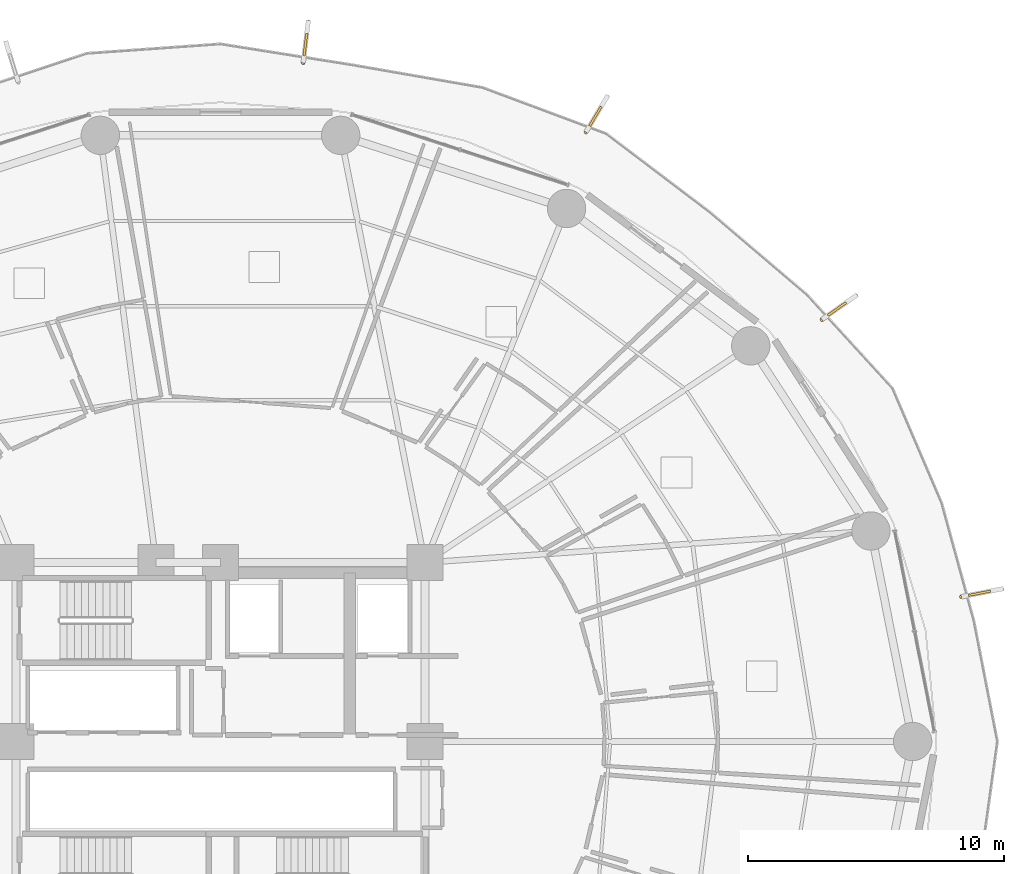
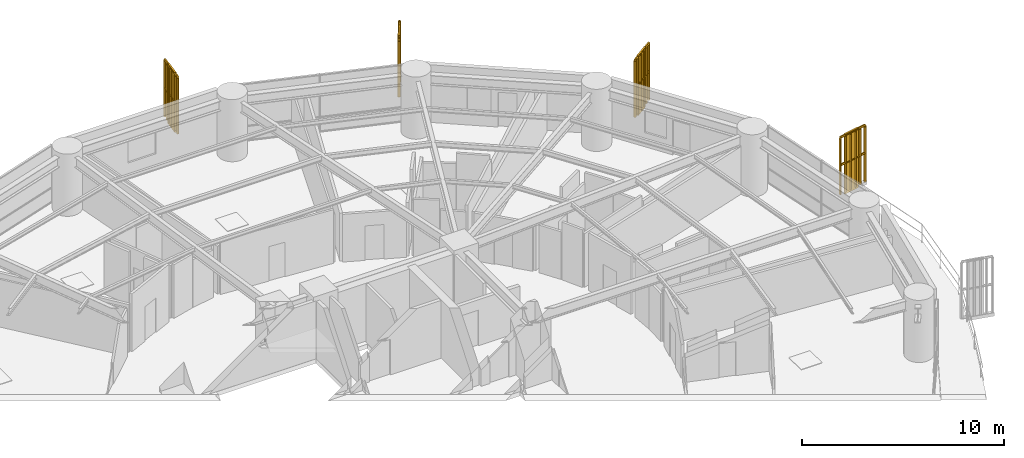
# One storey, part 31 of 31: 4 railings, 4 shading devices.
"""IFC4 building model written with IfcOpenShell, lengths in metres."""

from ifc_helpers import new_model, si_unit, direction, frame, origin, origin_2d, place, context, subcontext, project, spatial, polyline, rectangle, outline, extrude, source, transform, mapped, material, type_object, element, save


model = new_model("IFC4")

# Units and contexts
model_context = context("Model", 3, precision=1e-05, world=origin(), true_north=direction((0.0, 1.0)))
body_context = subcontext(model_context, "Body", "Model", "MODEL_VIEW")
ifc_project = project(units=[si_unit("LENGTHUNIT", "METRE"), si_unit("AREAUNIT", "SQUARE_METRE"), si_unit("VOLUMEUNIT", "CUBIC_METRE"), si_unit("PLANEANGLEUNIT", "RADIAN"), si_unit("MASSUNIT", "GRAM", prefix="KILO")], contexts=[model_context])

# Site, building, storey
site_placement = place(None, origin())
site = spatial("IfcSite", under=ifc_project, at=site_placement, CompositionType="ELEMENT")
building_placement = place(site_placement, origin())
building = spatial("IfcBuilding", under=site, at=building_placement, Name="Kelanora Arch Commons", CompositionType="ELEMENT")
storey_placement = place(building_placement, frame((0.0, 0.0, 63.75)))
storey = spatial("IfcBuildingStorey", under=building, at=storey_placement, Name="L16", CompositionType="ELEMENT", Elevation=63.75)

# Railings
ifc_material_1 = material(Name="Anodised bronze vertical shading fin rib assembly")
railing_type = type_object("IfcRailingType", Name="RAIL-FIN-BRZ", PredefinedType="BALUSTRADE", material=ifc_material_1)
railing_1_placement = place(storey_placement, frame((97.531982421875, 74.509033203125, -0.02001953125)))
element("IfcRailing", 1, at=railing_1_placement, inside=storey, type_object=railing_type, Name="Sweeping Bronze Vertical Fin Blade L16-00", PredefinedType="BALUSTRADE", context=body_context, shape_type="SweptSolid", body=[
    extrude(outline(polyline([(0.06982421875, 0.0), (0.034912109375, 0.060546875), (-0.034912109375, 0.060546875), (-0.06982421875, 0.0), (-0.034912109375, -0.060546875), (0.034912109375, -0.060546875), (0.06982421875, 0.0)])), frame((0.0, 0.0, 3.419921875), z_axis=(0.818650060318, 0.574292676901, 0.0), x_axis=(-0.574292676901, 0.818650060318, 0.0)), (0.0, 0.0, 1.0), 1.61767578125),
    extrude(outline(polyline([(0.06982421875, 0.0), (0.034912109375, 0.060546875), (-0.034912109375, 0.060546875), (-0.06982421875, 0.0), (-0.034912109375, -0.060546875), (0.034912109375, -0.060546875), (0.06982421875, 0.0)])), frame((0.0, 0.0, 1.7451171875), z_axis=(0.818650060318, 0.574292676901, 0.0), x_axis=(-0.574292676901, 0.818650060318, 0.0)), (0.0, 0.0, 1.0), 1.61767578125),
    extrude(outline(polyline([(0.080078125, 0.0), (0.0400390625, 0.0693359375), (-0.0400390625, 0.0693359375), (-0.080078125, 0.0), (-0.0400390625, -0.0693359375), (0.0400390625, -0.0693359375), (0.080078125, 0.0)])), origin(), (0.0, 0.0, 1.0), 3.35009765625),
    extrude(outline(polyline([(0.080078125, 0.0), (0.0400390625, 0.0693359375), (-0.0400390625, 0.0693359375), (-0.080078125, 0.0), (-0.0400390625, -0.0693359375), (0.0400390625, -0.0693359375), (0.080078125, 0.0)])), frame((0.264892578125, 0.185791015625, 0.0)), (0.0, 0.0, 1.0), 3.35009765625),
    extrude(outline(polyline([(0.080078125, 0.0), (0.0400390625, 0.0693359375), (-0.0400390625, 0.0693359375), (-0.080078125, 0.0), (-0.0400390625, -0.0693359375), (0.0400390625, -0.0693359375), (0.080078125, 0.0)])), frame((0.52978515625, 0.37158203125, 0.0)), (0.0, 0.0, 1.0), 3.35009765625),
    extrude(outline(polyline([(0.080078125, 0.0), (0.0400390625, 0.0693359375), (-0.0400390625, 0.0693359375), (-0.080078125, 0.0), (-0.0400390625, -0.0693359375), (0.0400390625, -0.0693359375), (0.080078125, 0.0)])), frame((0.79443359375, 0.557373046875, 0.0)), (0.0, 0.0, 1.0), 3.35009765625),
    extrude(outline(polyline([(0.080078125, 0.0), (0.0400390625, 0.0693359375), (-0.0400390625, 0.0693359375), (-0.080078125, 0.0), (-0.0400390625, -0.0693359375), (0.0400390625, -0.0693359375), (0.080078125, 0.0)])), frame((1.059326171875, 0.7431640625, 0.0)), (0.0, 0.0, 1.0), 3.35009765625),
    extrude(outline(polyline([(0.080078125, 0.0), (0.0400390625, 0.0693359375), (-0.0400390625, 0.0693359375), (-0.080078125, 0.0), (-0.0400390625, -0.0693359375), (0.0400390625, -0.0693359375), (0.080078125, 0.0)])), frame((1.32421875, 0.928955078125, 0.0)), (0.0, 0.0, 1.0), 3.35009765625),
])
railing_2_placement = place(storey_placement, frame((88.296630859375, 81.8427734375, -0.02001953125)))
element("IfcRailing", 2, at=railing_2_placement, inside=storey, type_object=railing_type, Name="Sweeping Bronze Vertical Fin Blade L16-01", PredefinedType="BALUSTRADE", context=body_context, shape_type="SweptSolid", body=[
    extrude(outline(polyline([(0.06982421875, 0.0), (0.034912109375, 0.060546875), (-0.034912109375, 0.060546875), (-0.06982421875, 0.0), (-0.034912109375, -0.060546875), (0.034912109375, -0.060546875), (0.06982421875, 0.0)])), frame((0.0, 0.0, 3.419921875), z_axis=(0.514251567404, 0.85763939125, 0.0), x_axis=(-0.85763939125, 0.514251567404, 0.0)), (0.0, 0.0, 1.0), 1.617431640625),
    extrude(outline(polyline([(0.06982421875, 0.0), (0.034912109375, 0.060546875), (-0.034912109375, 0.060546875), (-0.06982421875, 0.0), (-0.034912109375, -0.060546875), (0.034912109375, -0.060546875), (0.06982421875, 0.0)])), frame((0.0, 0.0, 1.7451171875), z_axis=(0.514251567404, 0.85763939125, 0.0), x_axis=(-0.85763939125, 0.514251567404, 0.0)), (0.0, 0.0, 1.0), 1.617431640625),
    extrude(outline(polyline([(0.080078125, 0.0), (0.0400390625, 0.0693359375), (-0.0400390625, 0.0693359375), (-0.080078125, 0.0), (-0.0400390625, -0.0693359375), (0.0400390625, -0.0693359375), (0.080078125, 0.0)])), origin(), (0.0, 0.0, 1.0), 3.35009765625),
    extrude(outline(polyline([(0.080078125, 0.0), (0.0400390625, 0.0693359375), (-0.0400390625, 0.0693359375), (-0.080078125, 0.0), (-0.0400390625, -0.0693359375), (0.0400390625, -0.0693359375), (0.080078125, 0.0)])), frame((0.166259765625, 0.27734375, 0.0)), (0.0, 0.0, 1.0), 3.35009765625),
    extrude(outline(polyline([(0.080078125, 0.0), (0.0400390625, 0.0693359375), (-0.0400390625, 0.0693359375), (-0.080078125, 0.0), (-0.0400390625, -0.0693359375), (0.0400390625, -0.0693359375), (0.080078125, 0.0)])), frame((0.332763671875, 0.554931640625, 0.0)), (0.0, 0.0, 1.0), 3.35009765625),
    extrude(outline(polyline([(0.080078125, 0.0), (0.0400390625, 0.0693359375), (-0.0400390625, 0.0693359375), (-0.080078125, 0.0), (-0.0400390625, -0.0693359375), (0.0400390625, -0.0693359375), (0.080078125, 0.0)])), frame((0.4990234375, 0.832275390625, 0.0)), (0.0, 0.0, 1.0), 3.35009765625),
    extrude(outline(polyline([(0.080078125, 0.0), (0.0400390625, 0.0693359375), (-0.0400390625, 0.0693359375), (-0.080078125, 0.0), (-0.0400390625, -0.0693359375), (0.0400390625, -0.0693359375), (0.080078125, 0.0)])), frame((0.66552734375, 1.10986328125, 0.0)), (0.0, 0.0, 1.0), 3.35009765625),
    extrude(outline(polyline([(0.080078125, 0.0), (0.0400390625, 0.0693359375), (-0.0400390625, 0.0693359375), (-0.080078125, 0.0), (-0.0400390625, -0.0693359375), (0.0400390625, -0.0693359375), (0.080078125, 0.0)])), frame((0.831787109375, 1.38720703125, 0.0)), (0.0, 0.0, 1.0), 3.35009765625),
])
railing_3_placement = place(storey_placement, frame((77.235595703125, 84.55078125, -0.02001953125)))
element("IfcRailing", 3, at=railing_3_placement, inside=storey, type_object=railing_type, Name="Sweeping Bronze Vertical Fin Blade L16-02", PredefinedType="BALUSTRADE", context=body_context, shape_type="SweptSolid", body=[
    extrude(outline(polyline([(0.06982421875, 0.0), (0.034912109375, 0.060546875), (-0.034912109375, 0.060546875), (-0.06982421875, 0.0), (-0.034912109375, -0.060546875), (0.034912109375, -0.060546875), (0.06982421875, 0.0)])), frame((0.0, 0.0, 3.419921875), z_axis=(0.120894773882, 0.992665328118, 0.0), x_axis=(-0.992665328118, 0.120894773882, 0.0)), (0.0, 0.0, 1.0), 1.61767578125),
    extrude(outline(polyline([(0.06982421875, 0.0), (0.034912109375, 0.060546875), (-0.034912109375, 0.060546875), (-0.06982421875, 0.0), (-0.034912109375, -0.060546875), (0.034912109375, -0.060546875), (0.06982421875, 0.0)])), frame((0.0, 0.0, 1.7451171875), z_axis=(0.120894773882, 0.992665328118, 0.0), x_axis=(-0.992665328118, 0.120894773882, 0.0)), (0.0, 0.0, 1.0), 1.61767578125),
    extrude(outline(polyline([(0.080078125, 0.0), (0.0400390625, 0.0693359375), (-0.0400390625, 0.0693359375), (-0.080078125, 0.0), (-0.0400390625, -0.0693359375), (0.0400390625, -0.0693359375), (0.080078125, 0.0)])), origin(), (0.0, 0.0, 1.0), 3.35009765625),
    extrude(outline(polyline([(0.080078125, 0.0), (0.0400390625, 0.0693359375), (-0.0400390625, 0.0693359375), (-0.080078125, 0.0), (-0.0400390625, -0.0693359375), (0.0400390625, -0.0693359375), (0.080078125, 0.0)])), frame((0.0390625, 0.321044921875, 0.0)), (0.0, 0.0, 1.0), 3.35009765625),
    extrude(outline(polyline([(0.080078125, 0.0), (0.0400390625, 0.0693359375), (-0.0400390625, 0.0693359375), (-0.080078125, 0.0), (-0.0400390625, -0.0693359375), (0.0400390625, -0.0693359375), (0.080078125, 0.0)])), frame((0.078125, 0.642333984375, 0.0)), (0.0, 0.0, 1.0), 3.35009765625),
    extrude(outline(polyline([(0.080078125, 0.0), (0.0400390625, 0.0693359375), (-0.0400390625, 0.0693359375), (-0.080078125, 0.0), (-0.0400390625, -0.0693359375), (0.0400390625, -0.0693359375), (0.080078125, 0.0)])), frame((0.117431640625, 0.96337890625, 0.0)), (0.0, 0.0, 1.0), 3.35009765625),
    extrude(outline(polyline([(0.080078125, 0.0), (0.0400390625, 0.0693359375), (-0.0400390625, 0.0693359375), (-0.080078125, 0.0), (-0.0400390625, -0.0693359375), (0.0400390625, -0.0693359375), (0.080078125, 0.0)])), frame((0.156494140625, 1.28466796875, 0.0)), (0.0, 0.0, 1.0), 3.35009765625),
    extrude(outline(polyline([(0.080078125, 0.0), (0.0400390625, 0.0693359375), (-0.0400390625, 0.0693359375), (-0.080078125, 0.0), (-0.0400390625, -0.0693359375), (0.0400390625, -0.0693359375), (0.080078125, 0.0)])), frame((0.195556640625, 1.605712890625, 0.0)), (0.0, 0.0, 1.0), 3.35009765625),
])
railing_4_placement = place(storey_placement, frame((102.985107421875, 63.661376953125, -0.02001953125)))
element("IfcRailing", 4, at=railing_4_placement, inside=storey, type_object=railing_type, Name="Sweeping Bronze Vertical Fin Blade L16-14", PredefinedType="BALUSTRADE", context=body_context, shape_type="SweptSolid", body=[
    extrude(outline(polyline([(0.06982421875, 0.0), (0.034912109375, 0.060546875), (-0.034912109375, 0.060546875), (-0.06982421875, 0.0), (-0.034912109375, -0.060546875), (0.034912109375, -0.060546875), (0.06982421875, 0.0)])), frame((0.0, 0.0, 3.419921875), z_axis=(0.981453204386, 0.191701871666, 0.0), x_axis=(-0.191701871666, 0.981453204386, 0.0)), (0.0, 0.0, 1.0), 1.617431640625),
    extrude(outline(polyline([(0.06982421875, 0.0), (0.034912109375, 0.060546875), (-0.034912109375, 0.060546875), (-0.06982421875, 0.0), (-0.034912109375, -0.060546875), (0.034912109375, -0.060546875), (0.06982421875, 0.0)])), frame((0.0, 0.0, 1.7451171875), z_axis=(0.981453204386, 0.191701871666, 0.0), x_axis=(-0.191701871666, 0.981453204386, 0.0)), (0.0, 0.0, 1.0), 1.617431640625),
    extrude(outline(polyline([(0.080078125, 0.0), (0.0400390625, 0.0693359375), (-0.0400390625, 0.0693359375), (-0.080078125, 0.0), (-0.0400390625, -0.0693359375), (0.0400390625, -0.0693359375), (0.080078125, 0.0)])), origin(), (0.0, 0.0, 1.0), 3.35009765625),
    extrude(outline(polyline([(0.080078125, 0.0), (0.0400390625, 0.0693359375), (-0.0400390625, 0.0693359375), (-0.080078125, 0.0), (-0.0400390625, -0.0693359375), (0.0400390625, -0.0693359375), (0.080078125, 0.0)])), frame((0.3173828125, 0.06201171875, 0.0)), (0.0, 0.0, 1.0), 3.35009765625),
    extrude(outline(polyline([(0.080078125, 0.0), (0.0400390625, 0.0693359375), (-0.0400390625, 0.0693359375), (-0.080078125, 0.0), (-0.0400390625, -0.0693359375), (0.0400390625, -0.0693359375), (0.080078125, 0.0)])), frame((0.635009765625, 0.1240234375, 0.0)), (0.0, 0.0, 1.0), 3.35009765625),
    extrude(outline(polyline([(0.080078125, 0.0), (0.0400390625, 0.0693359375), (-0.0400390625, 0.0693359375), (-0.080078125, 0.0), (-0.0400390625, -0.0693359375), (0.0400390625, -0.0693359375), (0.080078125, 0.0)])), frame((0.952392578125, 0.18603515625, 0.0)), (0.0, 0.0, 1.0), 3.35009765625),
    extrude(outline(polyline([(0.080078125, 0.0), (0.0400390625, 0.0693359375), (-0.0400390625, 0.0693359375), (-0.080078125, 0.0), (-0.0400390625, -0.0693359375), (0.0400390625, -0.0693359375), (0.080078125, 0.0)])), frame((1.27001953125, 0.248046875, 0.0)), (0.0, 0.0, 1.0), 3.35009765625),
    extrude(outline(polyline([(0.080078125, 0.0), (0.0400390625, 0.0693359375), (-0.0400390625, 0.0693359375), (-0.080078125, 0.0), (-0.0400390625, -0.0693359375), (0.0400390625, -0.0693359375), (0.080078125, 0.0)])), frame((1.58740234375, 0.31005859375, 0.0)), (0.0, 0.0, 1.0), 3.35009765625),
])

# Shading devices
ifc_material_2 = material(Name="Terracotta ceramic-clad extruded aluminium fin", Category="masonry")
shading_device_type = type_object("IfcShadingDeviceType", Name="SHD-FIN-FLARE", PredefinedType="USERDEFINED", material=ifc_material_2)
shared_shape = source(origin(), body_context, "Body", "SweptSolid", [
    extrude(rectangle(XDim=0.8798828125, YDim=0.090087890625, at=origin_2d()), origin(), (0.0, 0.0, 1.0), 3.610107421875),
])
for number, where, z_axis, x_axis, name in (
    (5, (98.121337890625, 74.922607421875, -0.14013671875), (0.0, 0.0, 1.0), (0.818651192576, 0.574291062871, 0.0), "Sweeping Terracotta Fin L16-00"),
    (6, (88.6669921875, 82.460205078125, -0.14013671875), (0.0, 0.0, 1.0), (0.514289859311, 0.857616429769, 0.0), "Sweeping Terracotta Fin L16-01"),
    (7, (77.32275390625, 85.265380859375, -0.14013671875), (0.0, 0.0, 1.0), (0.121003137194, 0.992652124759, 0.0), "Sweeping Terracotta Fin L16-02"),
    (8, (103.691650390625, 63.799560546875, -0.14013671875), (0.0, 0.0, 1.0), (0.981460297432, 0.191665553932, 0.0), "Sweeping Terracotta Fin L16-14"),
):
    element("IfcShadingDevice", number, at=place(storey_placement, frame(where, z_axis=z_axis, x_axis=x_axis)), inside=storey, type_object=shading_device_type, Name=name, ObjectType="FIN", PredefinedType="USERDEFINED", context=body_context, shape_type="MappedRepresentation", body=[
        mapped(shared_shape, transform((0.0, 0.0, 0.0), scale=1.0)),
    ])

save(model, "model.ifc")
